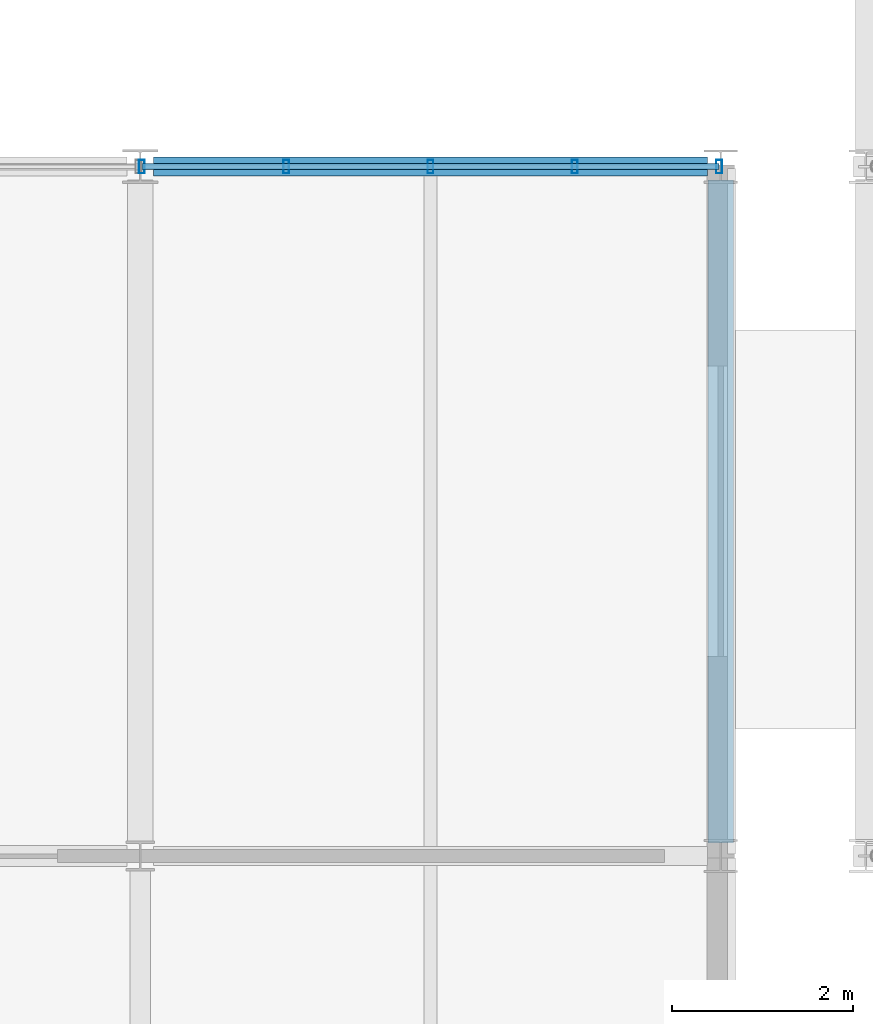
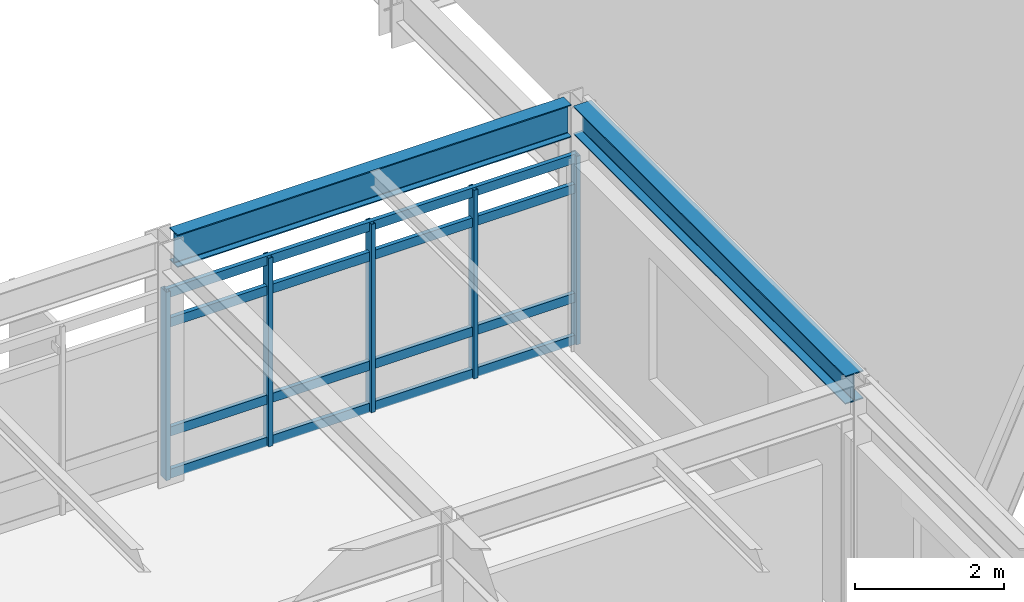
# One storey, part 30 of 85: 9 members, 2 beams, 1 element without a shape of its own.
"""IFC4 building model written with IfcOpenShell, lengths in metres."""

from ifc_helpers import new_model, si_unit, direction, frame, origin, origin_2d, place, context, subcontext, project, spatial, hollow_rectangle, i_section, extrude, material, material_profile, profile_set, type_object, element, aggregate, save


model = new_model("IFC4")

# Units and contexts
model_context = context("Model", 3, precision=1e-05, world=origin(), true_north=direction((0.0, 1.0)))
body_context = subcontext(model_context, "Body", "Model", "MODEL_VIEW")
ifc_project = project(units=[si_unit("LENGTHUNIT", "METRE"), si_unit("AREAUNIT", "SQUARE_METRE"), si_unit("VOLUMEUNIT", "CUBIC_METRE"), si_unit("PLANEANGLEUNIT", "RADIAN"), si_unit("MASSUNIT", "GRAM", prefix="KILO")], contexts=[model_context])

# Site, building, storey
site_placement = place(None, origin())
site = spatial("IfcSite", under=ifc_project, at=site_placement, CompositionType="ELEMENT")
building_placement = place(site_placement, origin())
building = spatial("IfcBuilding", under=site, at=building_placement, Name="Zulena Civic Courthouse", CompositionType="ELEMENT")
storey_placement = place(building_placement, frame((0.0, 0.0, 25.199951171875)))
storey = spatial("IfcBuildingStorey", under=building, at=storey_placement, Name="L05", CompositionType="ELEMENT", Elevation=25.199951171875)

# Curtain wall, members
ifc_material_1 = material(Name="Double-silver low-E laminated solar-control glass", Category="glass")
curtain_wall_type = type_object("IfcCurtainWallType", Name="CW_6364x3090", PredefinedType="USERDEFINED", material=ifc_material_1)
curtain_wall_placement = place(storey_placement, origin())
curtain_wall = element("IfcCurtainWall", 1, at=curtain_wall_placement, inside=storey, type_object=curtain_wall_type, Name="cw:V2:L05:1:7", ObjectType="UNITISED CURTAIN WALL", PredefinedType="USERDEFINED")
ifc_material_2 = material(Name="Bronze anodised thermally broken aluminium AA6063-T6", Category="aluminium")
ifc_material_profile_1 = material_profile(ifc_material_2, hollow_rectangle(XDim=0.06494140625, YDim=0.14990234375, WallThickness=0.00390625, at=origin_2d()), Name="CWM150X65X4")
ifc_profile_set_1 = profile_set([ifc_material_profile_1], Name="Bronze anodised thermally broken aluminium AA6063-T6")
member_type_1 = type_object("IfcMemberType", Name="CWMullion_150x65", PredefinedType="MULLION", material=ifc_profile_set_1)
member_1_placement = place(storey_placement, frame((60.01806640625, 22.800048828125, 0.0), z_axis=(0.0, 0.0, 1.0), x_axis=(1.0, 0.0, 0.0)))
member_1 = element("IfcMember", 2, at=member_1_placement, type_object=member_type_1, Name="cw:V2:L05:1:7:mull:0", PredefinedType="MULLION", context=body_context, shape_type="SweptSolid", body=[
    extrude(hollow_rectangle(XDim=0.06494140625, YDim=0.14990234375, WallThickness=0.00390625, at=origin_2d()), origin(), (0.0, 0.0, 1.0), 3.090087890625),
])
member_2_placement = place(storey_placement, frame((61.60888671875, 22.800048828125, 0.0), z_axis=(0.0, 0.0, 1.0), x_axis=(1.0, 0.0, 0.0)))
member_2 = element("IfcMember", 3, at=member_2_placement, type_object=member_type_1, Name="cw:V2:L05:1:7:mull:1", PredefinedType="MULLION", context=body_context, shape_type="SweptSolid", body=[
    extrude(hollow_rectangle(XDim=0.06494140625, YDim=0.14990234375, WallThickness=0.00390625, at=origin_2d()), origin(), (0.0, 0.0, 1.0), 3.090087890625),
])
member_3_placement = place(storey_placement, frame((63.199951171875, 22.800048828125, 0.0), z_axis=(0.0, 0.0, 1.0), x_axis=(1.0, 0.0, 0.0)))
member_3 = element("IfcMember", 4, at=member_3_placement, type_object=member_type_1, Name="cw:V2:L05:1:7:mull:2", PredefinedType="MULLION", context=body_context, shape_type="SweptSolid", body=[
    extrude(hollow_rectangle(XDim=0.06494140625, YDim=0.14990234375, WallThickness=0.00390625, at=origin_2d()), origin(), (0.0, 0.0, 1.0), 3.090087890625),
])
member_4_placement = place(storey_placement, frame((64.791015625, 22.800048828125, 0.0), z_axis=(0.0, 0.0, 1.0), x_axis=(1.0, 0.0, 0.0)))
member_4 = element("IfcMember", 5, at=member_4_placement, type_object=member_type_1, Name="cw:V2:L05:1:7:mull:3", PredefinedType="MULLION", context=body_context, shape_type="SweptSolid", body=[
    extrude(hollow_rectangle(XDim=0.06494140625, YDim=0.14990234375, WallThickness=0.00390625, at=origin_2d()), origin(), (0.0, 0.0, 1.0), 3.090087890625),
])
member_5_placement = place(storey_placement, frame((66.382080078125, 22.800048828125, 0.0), z_axis=(0.0, 0.0, 1.0), x_axis=(1.0, 0.0, 0.0)))
member_5 = element("IfcMember", 6, at=member_5_placement, type_object=member_type_1, Name="cw:V2:L05:1:7:mull:4", PredefinedType="MULLION", context=body_context, shape_type="SweptSolid", body=[
    extrude(hollow_rectangle(XDim=0.06494140625, YDim=0.14990234375, WallThickness=0.00390625, at=origin_2d()), origin(), (0.0, 0.0, 1.0), 3.090087890625),
])
ifc_material_profile_2 = material_profile(ifc_material_2, hollow_rectangle(XDim=0.06494140625, YDim=0.14990234375, WallThickness=0.00390625, at=origin_2d()), Name="CWT150X65X4")
ifc_profile_set_2 = profile_set([ifc_material_profile_2], Name="Bronze anodised thermally broken aluminium AA6063-T6")
member_type_2 = type_object("IfcMemberType", Name="CWTransom_150x65", PredefinedType="USERDEFINED", material=ifc_profile_set_2)
member_6_placement = place(storey_placement, frame((60.01806640625, 22.800048828125, 0.06005859375), z_axis=(1.0, 0.0, 0.0), x_axis=(0.0, 1.0, 0.0)))
member_6 = element("IfcMember", 7, at=member_6_placement, type_object=member_type_2, Name="cw:V2:L05:1:7:tran:0", ObjectType="TRANSOM", PredefinedType="USERDEFINED", context=body_context, shape_type="SweptSolid", body=[
    extrude(hollow_rectangle(XDim=0.06494140625, YDim=0.14990234375, WallThickness=0.00390625, at=origin_2d()), origin(), (0.0, 0.0, 1.0), 6.364013671875),
])
member_7_placement = place(storey_placement, frame((60.01806640625, 22.800048828125, 0.75), z_axis=(1.0, 0.0, 0.0), x_axis=(0.0, 1.0, 0.0)))
member_7 = element("IfcMember", 8, at=member_7_placement, type_object=member_type_2, Name="cw:V2:L05:1:7:tran:1", ObjectType="TRANSOM", PredefinedType="USERDEFINED", context=body_context, shape_type="SweptSolid", body=[
    extrude(hollow_rectangle(XDim=0.06494140625, YDim=0.14990234375, WallThickness=0.00390625, at=origin_2d()), origin(), (0.0, 0.0, 1.0), 6.364013671875),
])
member_8_placement = place(storey_placement, frame((60.01806640625, 22.800048828125, 2.5400390625), z_axis=(1.0, 0.0, 0.0), x_axis=(0.0, 1.0, 0.0)))
member_8 = element("IfcMember", 9, at=member_8_placement, type_object=member_type_2, Name="cw:V2:L05:1:7:tran:2", ObjectType="TRANSOM", PredefinedType="USERDEFINED", context=body_context, shape_type="SweptSolid", body=[
    extrude(hollow_rectangle(XDim=0.06494140625, YDim=0.14990234375, WallThickness=0.00390625, at=origin_2d()), origin(), (0.0, 0.0, 1.0), 6.364013671875),
])
member_9_placement = place(storey_placement, frame((60.01806640625, 22.800048828125, 3.030029296875), z_axis=(1.0, 0.0, 0.0), x_axis=(0.0, 1.0, 0.0)))
member_9 = element("IfcMember", 10, at=member_9_placement, type_object=member_type_2, Name="cw:V2:L05:1:7:tran:3", ObjectType="TRANSOM", PredefinedType="USERDEFINED", context=body_context, shape_type="SweptSolid", body=[
    extrude(hollow_rectangle(XDim=0.06494140625, YDim=0.14990234375, WallThickness=0.00390625, at=origin_2d()), origin(), (0.0, 0.0, 1.0), 6.364013671875),
])
aggregate(curtain_wall, [member_1, member_2, member_3, member_4, member_5, member_6, member_7, member_8, member_9])

# Beams
ifc_material_3 = material(Name="Steel ASTM A992 Grade 50", Category="steel")
ifc_material_profile_3 = material_profile(ifc_material_3, i_section(OverallWidth=0.280029296875, OverallDepth=0.462890625, WebThickness=0.0107421875, FlangeThickness=0.017333984375, FilletRadius=0.01025390625, at=origin_2d()), Name="W18X76")
ifc_profile_set_3 = profile_set([ifc_material_profile_3], Name="Steel ASTM A992 Grade 50")
beam_type_1 = type_object("IfcBeamType", Name="Spandrel_W18X76", PredefinedType="SPANDREL", material=ifc_profile_set_3)
beam_1_placement = place(storey_placement, frame((66.39990234375, 15.344970703125, 3.763427734375), z_axis=(0.0, 1.0, 0.0), x_axis=(-1.0, 0.0, 0.0)))
element("IfcBeam", 11, at=beam_1_placement, inside=storey, type_object=beam_type_1, Name="beam:Y:V2:L05:66.4:15.2_22.8", PredefinedType="SPANDREL", context=body_context, shape_type="SweptSolid", body=[
    extrude(i_section(OverallWidth=0.280029296875, OverallDepth=0.462890625, WebThickness=0.0107421875, FlangeThickness=0.017333984375, FilletRadius=0.01025390625, at=origin_2d()), origin(), (0.0, 0.0, 1.0), 7.31005859375),
])
ifc_material_profile_4 = material_profile(ifc_material_3, i_section(OverallWidth=0.2099609375, OverallDepth=0.537109375, WebThickness=0.010986328125, FlangeThickness=0.017333984375, FilletRadius=0.0126953125, at=origin_2d()), Name="W21X68")
ifc_profile_set_4 = profile_set([ifc_material_profile_4], Name="Steel ASTM A992 Grade 50")
beam_type_2 = type_object("IfcBeamType", Name="Spandrel_W21X68", PredefinedType="SPANDREL", material=ifc_profile_set_4)
beam_2_placement = place(storey_placement, frame((60.14501953125, 22.800048828125, 3.7265625), z_axis=(1.0, 0.0, 0.0), x_axis=(0.0, 1.0, 0.0)))
element("IfcBeam", 12, at=beam_2_placement, inside=storey, type_object=beam_type_2, Name="beam:X:V2:L05:22.8:60.0_66.4", PredefinedType="SPANDREL", context=body_context, shape_type="SweptSolid", body=[
    extrude(i_section(OverallWidth=0.2099609375, OverallDepth=0.537109375, WebThickness=0.010986328125, FlangeThickness=0.017333984375, FilletRadius=0.0126953125, at=origin_2d()), origin(), (0.0, 0.0, 1.0), 6.10986328125),
])

save(model, "model.ifc")
